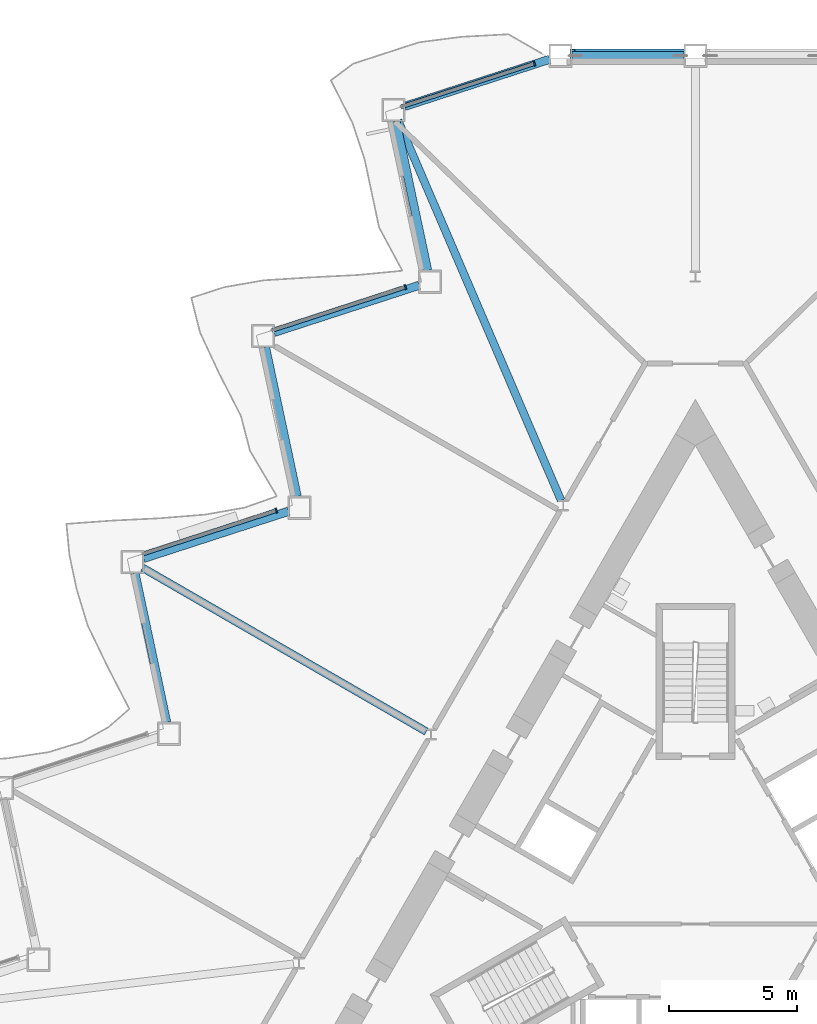
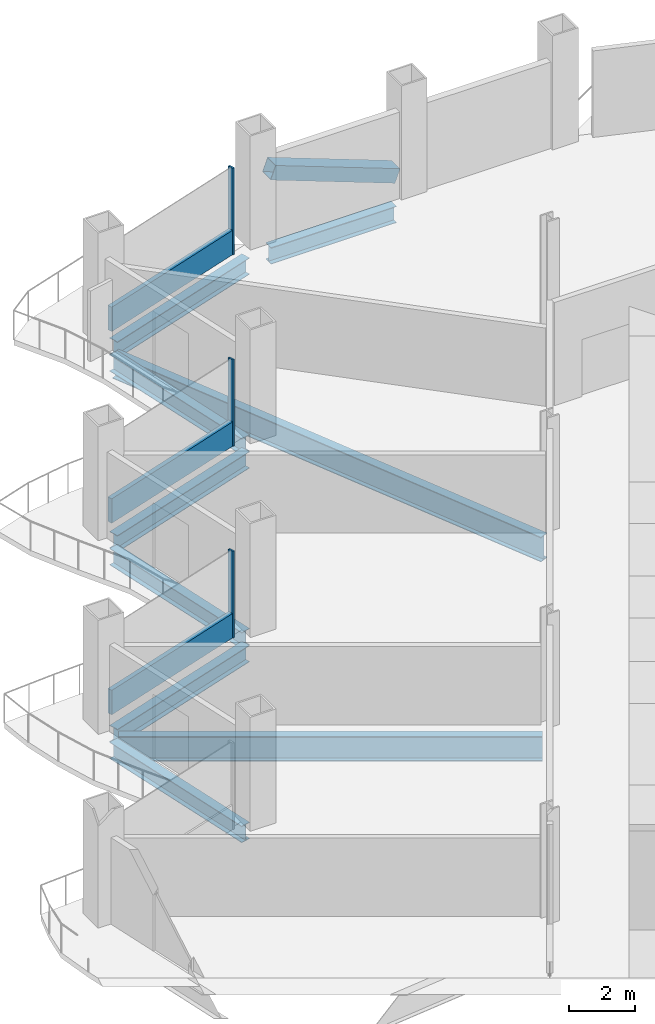
# One storey, part 7 of 21: 9 beams, 7 members, 3 elements without a shape of their own.
"""IFC4 building model written with IfcOpenShell, lengths in metres."""

import ifcopenshell
import ifcopenshell.guid

model = None  # the IFC model being written
_history = None  # IfcOwnerHistory: only IFC2X3 demands one
_inside = {}  # id of a spatial element -> (the spatial element, [elements in it])
_under = {}  # id of a project, library or spatial element -> (it, [spatial elements below it])
_declared = {}  # id of a project -> (the project, [libraries it declares])
_typed = {}  # id of a type object -> (the type object, [elements of that type])
_made_of = {}  # id of a material, layer set ... -> (it, [elements and type objects made of it])


def new_model(schema):
    """Start an empty IFC model of exactly this schema.

    Asked for "IFC4X3", IfcOpenShell would pick the latest addendum, in which some entities
    have other attributes; the version numbers below select the first issue.
    IFC2X3 requires an IfcOwnerHistory on every rooted entity: one is made here for all.
    """
    global model, _history
    if schema == "IFC4X3":
        model = ifcopenshell.file(schema_version=(4, 3, 0, 0))
    else:
        model = ifcopenshell.file(schema=schema)
    _inside.clear()
    _under.clear()
    _declared.clear()
    _typed.clear()
    _made_of.clear()
    _history = None
    if model.schema == "IFC2X3":
        org = make("IfcOrganization", Name="unknown")
        user = make(
            "IfcPersonAndOrganization",
            ThePerson=make("IfcPerson", FamilyName="unknown"),
            TheOrganization=org,
        )
        app = make(
            "IfcApplication",
            ApplicationDeveloper=org,
            Version="unknown",
            ApplicationFullName="unknown",
            ApplicationIdentifier="unknown",
        )
        _history = make(
            "IfcOwnerHistory",
            OwningUser=user,
            OwningApplication=app,
            ChangeAction="ADDED",
            CreationDate=0,
        )
    return model


def make(cls, **values):
    """One entity of the class cls with the attributes given. An attribute that is None is left unset."""
    return model.create_entity(
        cls, **{name: value for name, value in values.items() if value is not None}
    )


def rooted(cls, **values):
    """An entity with a GlobalId (a new one), such as an element, a storey or a relation."""
    return make(cls, GlobalId=ifcopenshell.guid.new(), OwnerHistory=_history, **values)


def si_unit(unit_type, name, prefix=None):
    """IfcSIUnit, for example si_unit("LENGTHUNIT", "METRE", prefix="MILLI")."""
    return make("IfcSIUnit", UnitType=unit_type, Prefix=prefix, Name=name)


def assignment(units):
    """IfcUnitAssignment: the units of a project."""
    return None if units is None else make("IfcUnitAssignment", Units=units)


def point(xyz):
    """IfcCartesianPoint."""
    return None if xyz is None else make("IfcCartesianPoint", Coordinates=xyz)


def direction(xyz):
    """IfcDirection."""
    return None if xyz is None else make("IfcDirection", DirectionRatios=xyz)


def frame(location, z_axis=None, x_axis=None):
    """IfcAxis2Placement3D, a coordinate frame: its origin and axes. An axis left out is left unset."""
    return make(
        "IfcAxis2Placement3D",
        Location=point(location),
        Axis=direction(z_axis),
        RefDirection=direction(x_axis),
    )


def frame_2d(location, x_axis=None):
    """IfcAxis2Placement2D, a coordinate frame in the plane: its origin and x axis."""
    return make(
        "IfcAxis2Placement2D", Location=point(location), RefDirection=direction(x_axis)
    )


def origin():
    """The frame at (0, 0, 0) with its axes left unset."""
    return frame((0.0, 0.0, 0.0))


def origin_2d():
    """The frame at (0, 0) in the plane with its x axis left unset."""
    return frame_2d((0.0, 0.0))


def place(relative_to, where):
    """IfcLocalPlacement: puts the frame where relative to a parent placement (None: the world)."""
    return make(
        "IfcLocalPlacement", PlacementRelTo=relative_to, RelativePlacement=where
    )


def context(
    kind, dimensions, precision=None, world=None, true_north=None, identifier=None
):
    """IfcGeometricRepresentationContext, for example the 3D "Model" context."""
    return make(
        "IfcGeometricRepresentationContext",
        ContextIdentifier=identifier,
        ContextType=kind,
        CoordinateSpaceDimension=dimensions,
        Precision=precision,
        WorldCoordinateSystem=world,
        TrueNorth=true_north,
    )


def subcontext(parent, identifier, kind, view, scale=None):
    """IfcGeometricRepresentationSubContext, for example "Body" below "Model"."""
    return make(
        "IfcGeometricRepresentationSubContext",
        ContextIdentifier=identifier,
        ContextType=kind,
        ParentContext=parent,
        TargetScale=scale,
        TargetView=view,
    )


def project(units=None, contexts=None):
    """IfcProject with its units and contexts."""
    return rooted(
        "IfcProject",
        Name="project",
        RepresentationContexts=contexts,
        UnitsInContext=assignment(units),
    )


def spatial(cls, under=None, at=None, **own):
    """A site, building, storey or space (cls), placed at a placement, below another one or the project."""
    s = rooted(cls, ObjectPlacement=at, **own)
    if under is not None:
        _under.setdefault(under.id(), (under, []))[1].append(s)
    return s


def profile(cls, at=None, kind="AREA", **sizes):
    """A parametric profile (cls). Its sizes go by their IFC names, for example OverallWidth=200.0."""
    return make(cls, ProfileType=kind, Position=at, **sizes)


def rectangle(**sizes):
    """IfcRectangleProfileDef."""
    return profile("IfcRectangleProfileDef", **sizes)


def hollow_rectangle(**sizes):
    """IfcRectangleHollowProfileDef."""
    return profile("IfcRectangleHollowProfileDef", **sizes)


def i_section(**sizes):
    """IfcIShapeProfileDef."""
    return profile("IfcIShapeProfileDef", **sizes)


def extrude(swept, where, along, depth):
    """IfcExtrudedAreaSolid: the profile swept, set in the frame where, extruded along a direction by depth."""
    return make(
        "IfcExtrudedAreaSolid",
        SweptArea=swept,
        Position=where,
        ExtrudedDirection=direction(along),
        Depth=depth,
    )


def shape(context_of_items, identifier, shape_type, items):
    """IfcShapeRepresentation: the items that make up one representation, for example the "Body"."""
    return make(
        "IfcShapeRepresentation",
        ContextOfItems=context_of_items,
        RepresentationIdentifier=identifier,
        RepresentationType=shape_type,
        Items=items,
    )


def material(Name=None, Category=None):
    """IfcMaterial."""
    return make("IfcMaterial", Name=Name, Category=Category)


def layer(
    of_material, thickness, ventilated=None, Name=None, Category=None, Priority=None
):
    """IfcMaterialLayer: one layer of a wall or slab, of a material (None: an air gap)."""
    return make(
        "IfcMaterialLayer",
        Material=of_material,
        LayerThickness=thickness,
        IsVentilated=ventilated,
        Name=Name,
        Category=Category,
        Priority=Priority,
    )


def layer_set(layers, Name=None):
    """IfcMaterialLayerSet."""
    return make("IfcMaterialLayerSet", MaterialLayers=layers, LayerSetName=Name)


def material_profile(
    of_material, cross_section, Name=None, Category=None, Priority=None
):
    """IfcMaterialProfile: a cross section and its material."""
    return make(
        "IfcMaterialProfile",
        Name=Name,
        Material=of_material,
        Profile=cross_section,
        Priority=Priority,
        Category=Category,
    )


def profile_set(profiles, Name=None, composite=None):
    """IfcMaterialProfileSet."""
    return make(
        "IfcMaterialProfileSet",
        Name=Name,
        MaterialProfiles=profiles,
        CompositeProfile=composite,
    )


def made_of(thing, what):
    """Note that an element or type object is made of a material, layer set ...; save() writes the relation."""
    if what is not None:
        _made_of.setdefault(what.id(), (what, []))[1].append(thing)
    return thing


def type_object(cls, material=None, **own):
    """A type object (cls), such as IfcWallType, which elements share."""
    return made_of(rooted(cls, **own), material)


def element(
    cls,
    number,
    at=None,
    inside=None,
    cuts=None,
    type_object=None,
    material=None,
    context=None,
    identifier="Body",
    shape_type=None,
    held_by="IfcProductDefinitionShape",
    body=None,
    shapes=None,
    **own,
):
    """One element of the class cls, such as IfcWall. Its Tag is "e" and its number.

    at: its placement. inside: the storey or other place that contains it. cuts: it is an
    opening in that element (IfcRelVoidsElement). A single representation is given by context,
    identifier, shape_type and body (its items); several are given by shapes. held_by: the class
    of the entity that holds the representations. save() writes the other relations.
    """
    e = rooted(cls, Tag="e%d" % number, ObjectPlacement=at, **own)
    if body is not None:
        shapes = [shape(context, identifier, shape_type, body)]
    if shapes is not None:
        e.Representation = make(held_by, Representations=shapes)
    if inside is not None:
        _inside.setdefault(inside.id(), (inside, []))[1].append(e)
    if cuts is not None:
        rooted(
            "IfcRelVoidsElement", RelatingBuildingElement=cuts, RelatedOpeningElement=e
        )
    if type_object is not None:
        _typed.setdefault(type_object.id(), (type_object, []))[1].append(e)
    return made_of(e, material)


def aggregate(whole, parts):
    """IfcRelAggregates: a whole, such as a stair, and the parts it consists of."""
    return rooted("IfcRelAggregates", RelatingObject=whole, RelatedObjects=parts)


def save(model, path):
    """Write the relations noted so far, then the file.

    IfcRelAggregates (storeys below a building ...), IfcRelContainedInSpatialStructure (elements
    in a storey), IfcRelDefinesByType, IfcRelAssociatesMaterial and IfcRelDeclares: one each for
    every whole, place, type object, material and project.
    """
    for whole, parts in _under.values():
        aggregate(whole, parts)
    for where, things in _inside.values():
        rooted(
            "IfcRelContainedInSpatialStructure",
            RelatedElements=things,
            RelatingStructure=where,
        )
    for kind, things in _typed.values():
        rooted("IfcRelDefinesByType", RelatedObjects=things, RelatingType=kind)
    for what, things in _made_of.values():
        rooted("IfcRelAssociatesMaterial", RelatedObjects=things, RelatingMaterial=what)
    for by, libraries in _declared.values():
        rooted("IfcRelDeclares", RelatingContext=by, RelatedDefinitions=libraries)
    model.write(path)


model = new_model("IFC4")

# Units and contexts
model_context = context("Model", 3, precision=1e-05, world=origin(), true_north=direction((0.0, 1.0)))
body_context = subcontext(model_context, "Body", "Model", "MODEL_VIEW")
ifc_project = project(units=[si_unit("LENGTHUNIT", "METRE"), si_unit("AREAUNIT", "SQUARE_METRE"), si_unit("VOLUMEUNIT", "CUBIC_METRE"), si_unit("PLANEANGLEUNIT", "RADIAN"), si_unit("MASSUNIT", "GRAM", prefix="KILO")], contexts=[model_context])

# Site, building, storey
site_placement = place(None, origin())
site = spatial("IfcSite", under=ifc_project, at=site_placement, CompositionType="ELEMENT")
building_placement = place(site_placement, origin())
building = spatial("IfcBuilding", under=site, at=building_placement, Name="Cormorant Prow Tower", CompositionType="ELEMENT")
storey_placement = place(building_placement, frame((0.0, 0.0, 133.199951171875)))
storey = spatial("IfcBuildingStorey", under=building, at=storey_placement, Name="L28", CompositionType="ELEMENT", Elevation=133.199951171875)

# Member
ifc_material_1 = material(Name="Structural steel ASTM A500 Gr C", Category="steel")
ifc_material_profile_1 = material_profile(ifc_material_1, hollow_rectangle(XDim=0.508056640625, YDim=0.508056640625, WallThickness=0.014892578125, at=origin_2d()), Name="HSS20x20x5/8")
ifc_profile_set_1 = profile_set([ifc_material_profile_1], Name="Structural steel ASTM A500 Gr C")
member_type_1 = type_object("IfcMemberType", Name="Chamfer brace HSS20x20x5/8", PredefinedType="BRACE", material=ifc_profile_set_1)
member_1_placement = place(storey_placement, frame((-0.4677734375, 32.487060546875, 0.776611328125), z_axis=(-0.935582009332, 0.0, 0.353109478511), x_axis=(0.0, -1.0, 0.0)))
element("IfcMember", 1, at=member_1_placement, inside=storey, type_object=member_type_1, Name="Chamfer brace BR1 at N01 L28", PredefinedType="BRACE", context=body_context, shape_type="SweptSolid", body=[
    extrude(hollow_rectangle(XDim=0.508056640625, YDim=0.508056640625, WallThickness=0.014892578125, at=origin_2d()), origin(), (0.0, 0.0, 1.0), 4.63232421875),
])

# Curtain wall, member
ifc_material_2 = material(Name="Aluminium 6063-T6", Category="aluminium")
ifc_layer = layer(ifc_material_2, 0.199951171875)
ifc_layer_set = layer_set([ifc_layer], Name="Aluminium 6063-T6")
curtain_wall_type = type_object("IfcCurtainWallType", Name="Office unitised curtain wall 200", PredefinedType="NOTDEFINED", material=ifc_layer_set)
curtain_wall_1_placement = place(storey_placement, origin())
curtain_wall_1 = element("IfcCurtainWall", 2, at=curtain_wall_1_placement, inside=storey, type_object=curtain_wall_type, Name="Office curtain wall WNW00", PredefinedType="NOTDEFINED")
ifc_material_3 = material(Name="Aluminium 6063-T6", Category="aluminium")
ifc_material_profile_2 = material_profile(ifc_material_3, rectangle(XDim=0.199951171875, YDim=0.06005859375, at=origin_2d()), Name="Office mullion 60x200")
ifc_profile_set_2 = profile_set([ifc_material_profile_2], Name="Aluminium 6063-T6")
member_type_2 = type_object("IfcMemberType", Name="Office mullion 60x200", PredefinedType="MULLION", material=ifc_profile_set_2)
member_2_placement = place(storey_placement, frame((-6.29443359375, 32.1806640625, 0.0), z_axis=(0.0, 0.0, 1.0), x_axis=(0.309016896042, -0.951056548245, 0.0)))
member_2 = element("IfcMember", 3, at=member_2_placement, type_object=member_type_2, Name="Office mullion WNW00", PredefinedType="MULLION", context=body_context, shape_type="SweptSolid", body=[
    extrude(rectangle(XDim=0.199951171875, YDim=0.06005859375, at=origin_2d()), origin(), (0.0, 0.0, 1.0), 3.18896484375),
])

curtain_wall_2_placement = place(storey_placement, origin())
curtain_wall_2 = element("IfcCurtainWall", 4, at=curtain_wall_2_placement, inside=storey, type_object=curtain_wall_type, Name="Office curtain wall WNW02", PredefinedType="NOTDEFINED")
member_3_placement = place(storey_placement, frame((-11.337890625, 23.4453125, 0.0), z_axis=(0.0, 0.0, 1.0), x_axis=(0.309016939332, -0.95105653418, 0.0)))
member_3 = element("IfcMember", 5, at=member_3_placement, type_object=member_type_2, Name="Office mullion WNW02", PredefinedType="MULLION", context=body_context, shape_type="SweptSolid", body=[
    extrude(rectangle(XDim=0.199951171875, YDim=0.06005859375, at=origin_2d()), origin(), (0.0, 0.0, 1.0), 3.18896484375),
])

curtain_wall_3_placement = place(storey_placement, origin())
curtain_wall_3 = element("IfcCurtainWall", 6, at=curtain_wall_3_placement, inside=storey, type_object=curtain_wall_type, Name="Office curtain wall WNW04", PredefinedType="NOTDEFINED")
member_4_placement = place(storey_placement, frame((-16.38134765625, 14.7099609375, 0.0), z_axis=(0.0, 0.0, 1.0), x_axis=(0.309016939332, -0.95105653418, 0.0)))
member_4 = element("IfcMember", 7, at=member_4_placement, type_object=member_type_2, Name="Office mullion WNW04", PredefinedType="MULLION", context=body_context, shape_type="SweptSolid", body=[
    extrude(rectangle(XDim=0.199951171875, YDim=0.06005859375, at=origin_2d()), origin(), (0.0, 0.0, 1.0), 3.18896484375),
])

# Member
ifc_material_4 = material(Name="Terracotta", Category="masonry")
ifc_material_profile_3 = material_profile(ifc_material_4, rectangle(XDim=0.159912109375, YDim=0.89990234375, at=origin_2d()), Name="Office terracotta spandrel rail 160x900")
ifc_profile_set_3 = profile_set([ifc_material_profile_3], Name="Terracotta")
member_type_3 = type_object("IfcMemberType", Name="Office terracotta spandrel rail 160x900", PredefinedType="USERDEFINED", material=ifc_profile_set_3)
member_5_placement = place(storey_placement, frame((-6.322998046875, 32.17138671875, 0.449951171875), z_axis=(-0.951059392051, -0.30900814357, 0.0), x_axis=(0.30900814357, -0.951059392051, 0.0)))
member_5 = element("IfcMember", 8, at=member_5_placement, type_object=member_type_3, Name="Office spandrel rail WNW00", ObjectType="TRANSOM", PredefinedType="USERDEFINED", context=body_context, shape_type="SweptSolid", body=[
    extrude(rectangle(XDim=0.159912109375, YDim=0.89990234375, at=origin_2d()), origin(), (0.0, 0.0, 1.0), 5.45458984375),
])

aggregate(curtain_wall_1, [member_2, member_5])

member_6_placement = place(storey_placement, frame((-11.366455078125, 23.43603515625, 0.449951171875), z_axis=(-0.951055118029, -0.309021297763, 0.0), x_axis=(0.309021297763, -0.951055118029, 0.0)))
member_6 = element("IfcMember", 9, at=member_6_placement, type_object=member_type_3, Name="Office spandrel rail WNW02", ObjectType="TRANSOM", PredefinedType="USERDEFINED", context=body_context, shape_type="SweptSolid", body=[
    extrude(rectangle(XDim=0.159912109375, YDim=0.89990234375, at=origin_2d()), origin(), (0.0, 0.0, 1.0), 5.45458984375),
])

aggregate(curtain_wall_2, [member_3, member_6])

member_7_placement = place(storey_placement, frame((-16.409912109375, 14.70068359375, 0.449951171875), z_axis=(-0.951055118029, -0.309021297763, 0.0), x_axis=(0.309021297763, -0.951055118029, 0.0)))
member_7 = element("IfcMember", 10, at=member_7_placement, type_object=member_type_3, Name="Office spandrel rail WNW04", ObjectType="TRANSOM", PredefinedType="USERDEFINED", context=body_context, shape_type="SweptSolid", body=[
    extrude(rectangle(XDim=0.159912109375, YDim=0.89990234375, at=origin_2d()), origin(), (0.0, 0.0, 1.0), 5.45458984375),
])

aggregate(curtain_wall_3, [member_4, member_7])

# Beams
ifc_material_5 = material(Name="Structural steel ASTM A992 Gr 50", Category="steel")
ifc_material_profile_4 = material_profile(ifc_material_5, i_section(OverallWidth=0.3046875, OverallDepth=0.914794921875, WebThickness=0.0166015625, FlangeThickness=0.02587890625, at=origin_2d()), Name="W36x160")
ifc_profile_set_4 = profile_set([ifc_material_profile_4], Name="Structural steel ASTM A992 Gr 50")
beam_type_1 = type_object("IfcBeamType", Name="Radial floor beam W36x160", PredefinedType="BEAM", material=ifc_profile_set_4)
beam_1_placement = place(storey_placement, frame((-5.25, 15.107666015625, -0.857421875), z_axis=(-0.394273140268, 0.918993302948, 0.0), x_axis=(-0.918993302948, -0.394273140268, 0.0)))
element("IfcBeam", 11, at=beam_1_placement, inside=storey, type_object=beam_type_1, Name="Radial floor beam FB1 2 L28", PredefinedType="BEAM", context=body_context, shape_type="SweptSolid", body=[
    extrude(i_section(OverallWidth=0.3046875, OverallDepth=0.914794921875, WebThickness=0.0166015625, FlangeThickness=0.02587890625, at=origin_2d()), origin(), (0.0, 0.0, 1.0), 16.153564453125),
])
beam_2_placement = place(storey_placement, frame((-10.516845703125, 6.07177734375, -0.857421875), z_axis=(-0.866021760006, 0.500006311156, 0.0), x_axis=(-0.500006311156, -0.866021760006, 0.0)))
element("IfcBeam", 12, at=beam_2_placement, inside=storey, type_object=beam_type_1, Name="Radial floor beam FB1 3 L28", PredefinedType="BEAM", context=body_context, shape_type="SweptSolid", body=[
    extrude(i_section(OverallWidth=0.3046875, OverallDepth=0.914794921875, WebThickness=0.0166015625, FlangeThickness=0.02587890625, at=origin_2d()), origin(), (0.0, 0.0, 1.0), 12.805419921875),
])
ifc_material_6 = material(Name="Structural steel ASTM A992 Gr 50", Category="steel")
ifc_material_profile_5 = material_profile(ifc_material_6, i_section(OverallWidth=0.32373046875, OverallDepth=0.611083984375, WebThickness=0.0126953125, FlangeThickness=0.01904296875, at=origin_2d()), Name="W24x104")
ifc_profile_set_5 = profile_set([ifc_material_profile_5], Name="Structural steel ASTM A992 Gr 50")
beam_type_2 = type_object("IfcBeamType", Name="Spandrel beam W24x104", PredefinedType="SPANDREL", material=ifc_profile_set_5)
beam_3_placement = place(storey_placement, frame((-0.449951171875, 32.487060546875, -0.70556640625), z_axis=(-1.0, 0.0, 0.0), x_axis=(0.0, -1.0, 0.0)))
element("IfcBeam", 13, at=beam_3_placement, inside=storey, type_object=beam_type_2, Name="Spandrel beam SB1 N01-WNW00 L28", PredefinedType="SPANDREL", context=body_context, shape_type="SweptSolid", body=[
    extrude(i_section(OverallWidth=0.32373046875, OverallDepth=0.611083984375, WebThickness=0.0126953125, FlangeThickness=0.01904296875, at=origin_2d()), origin(), (0.0, 0.0, 1.0), 4.36962890625),
])
beam_4_placement = place(storey_placement, frame((-5.69775390625, 32.347900390625, -0.70556640625), z_axis=(-0.951055430656, -0.309020335608, 0.0), x_axis=(0.309020335608, -0.951055430656, 0.0)))
element("IfcBeam", 14, at=beam_4_placement, inside=storey, type_object=beam_type_2, Name="Spandrel beam SB1 WNW00-WNW01 L28", PredefinedType="SPANDREL", context=body_context, shape_type="SweptSolid", body=[
    extrude(i_section(OverallWidth=0.32373046875, OverallDepth=0.611083984375, WebThickness=0.0126953125, FlangeThickness=0.01904296875, at=origin_2d()), origin(), (0.0, 0.0, 1.0), 5.96240234375),
])
beam_5_placement = place(storey_placement, frame((-11.702880859375, 29.926025390625, -0.70556640625), z_axis=(0.207920947907, -0.978145633033, 0.0), x_axis=(0.978145633033, 0.207920947907, 0.0)))
element("IfcBeam", 15, at=beam_5_placement, inside=storey, type_object=beam_type_2, Name="Spandrel beam SB1 WNW01-WNW02 L28", PredefinedType="SPANDREL", context=body_context, shape_type="SweptSolid", body=[
    extrude(i_section(OverallWidth=0.32373046875, OverallDepth=0.611083984375, WebThickness=0.0126953125, FlangeThickness=0.01904296875, at=origin_2d()), origin(), (0.0, 0.0, 1.0), 5.962646484375),
])
beam_6_placement = place(storey_placement, frame((-10.797607421875, 23.5146484375, -0.70556640625), z_axis=(-0.95104730696, -0.309045336358, 0.0), x_axis=(0.309045336358, -0.95104730696, 0.0)))
element("IfcBeam", 16, at=beam_6_placement, inside=storey, type_object=beam_type_2, Name="Spandrel beam SB1 WNW02-WNW03 L28", PredefinedType="SPANDREL", context=body_context, shape_type="SweptSolid", body=[
    extrude(i_section(OverallWidth=0.32373046875, OverallDepth=0.611083984375, WebThickness=0.0126953125, FlangeThickness=0.01904296875, at=origin_2d()), origin(), (0.0, 0.0, 1.0), 5.962890625),
])
for number, where, z_axis, x_axis, name in (
    (17, (-16.802734375, 21.0927734375, -0.70556640625), (0.207920947907, -0.978145633033, 0.0), (0.978145633033, 0.207920947907, 0.0), "Spandrel beam SB1 WNW03-WNW04 L28"),
    (18, (-15.8974609375, 14.68115234375, -0.70556640625), (-0.951059340519, -0.309008302174, 0.0), (0.309008302174, -0.951059340519, 0.0), "Spandrel beam SB1 WNW04-WNW05 L28"),
):
    element("IfcBeam", number, at=place(storey_placement, frame(where, z_axis=z_axis, x_axis=x_axis)), inside=storey, type_object=beam_type_2, Name=name, PredefinedType="SPANDREL", context=body_context, shape_type="SweptSolid", body=[
        extrude(i_section(OverallWidth=0.32373046875, OverallDepth=0.611083984375, WebThickness=0.0126953125, FlangeThickness=0.01904296875, at=origin_2d()), origin(), (0.0, 0.0, 1.0), 5.962646484375),
    ])
beam_7_placement = place(storey_placement, frame((-21.90283203125, 12.259521484375, -0.70556640625), z_axis=(0.207912620873, -0.978147403044, 0.0), x_axis=(0.978147403044, 0.207912620873, 0.0)))
element("IfcBeam", 19, at=beam_7_placement, inside=storey, type_object=beam_type_2, Name="Spandrel beam SB1 WNW05-WNW06 L28", PredefinedType="SPANDREL", context=body_context, shape_type="SweptSolid", body=[
    extrude(i_section(OverallWidth=0.32373046875, OverallDepth=0.611083984375, WebThickness=0.0126953125, FlangeThickness=0.01904296875, at=origin_2d()), origin(), (0.0, 0.0, 1.0), 5.962890625),
])

save(model, "model.ifc")
